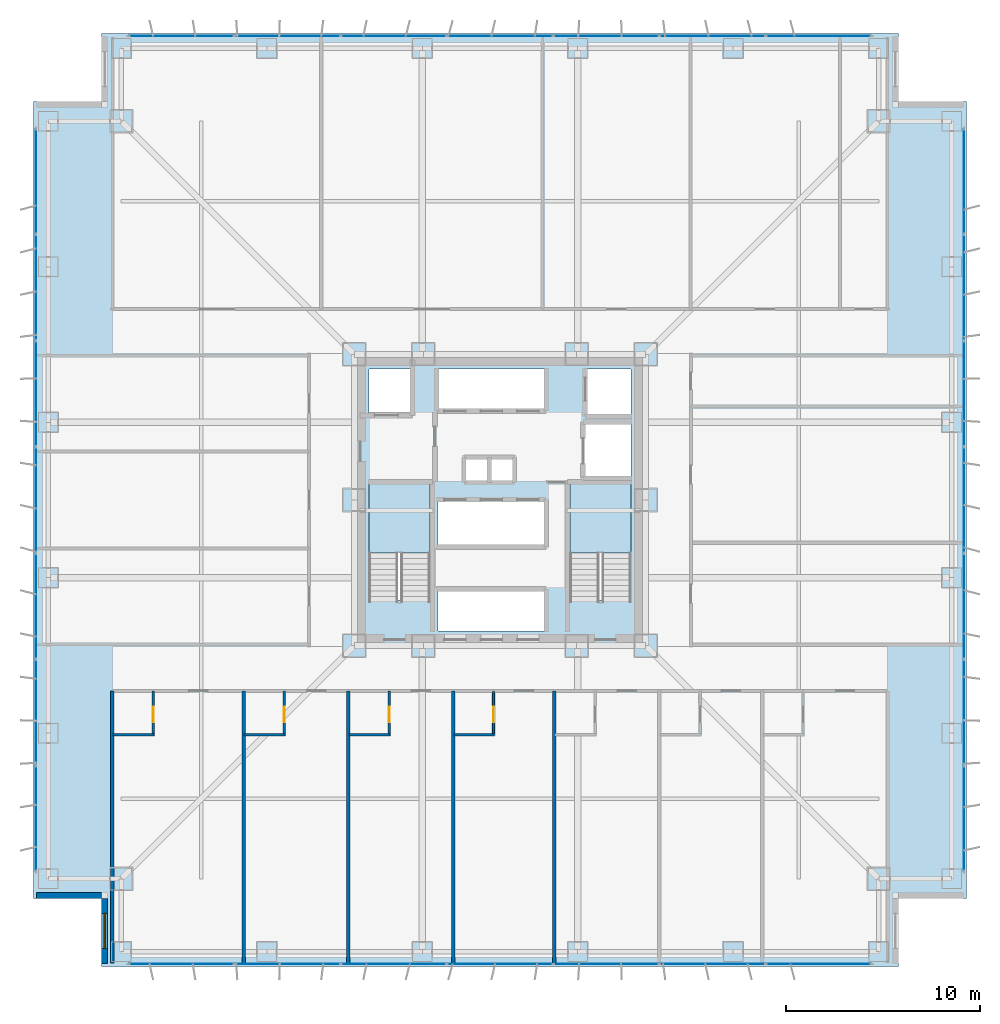
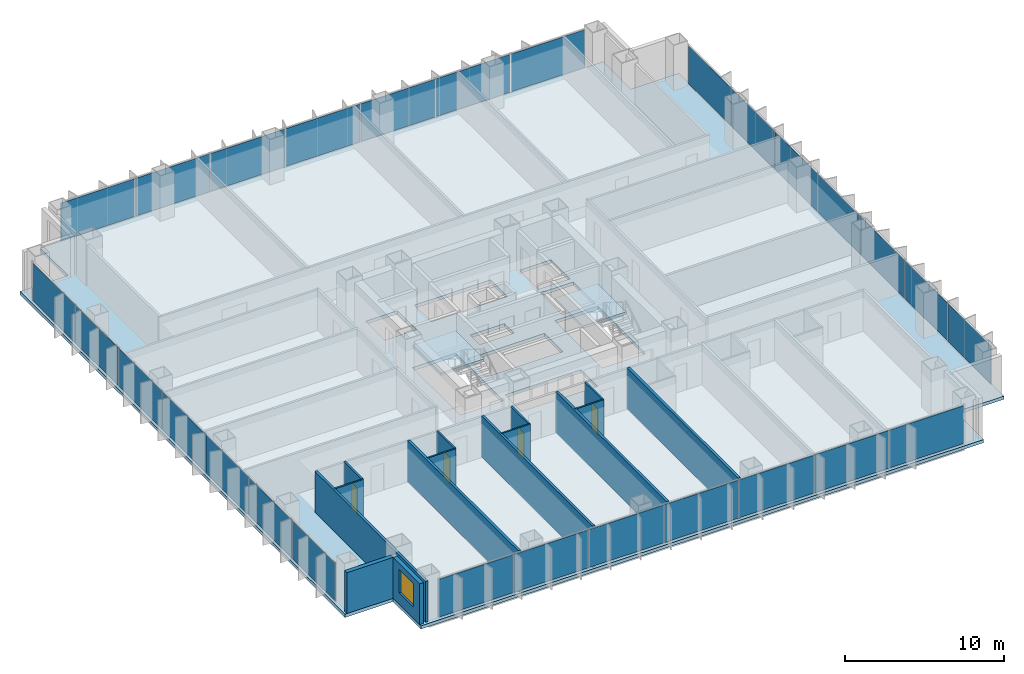
# One storey, part 13 of 19: 28 plates, 15 walls, 4 doors, 3 slabs, 1 window, 5 openings, 6 elements without a shape of their own.
"""IFC4 building model written with IfcOpenShell, lengths in metres."""

from ifc_helpers import new_model, si_unit, direction, frame, frame_2d, origin, origin_2d, place, context, subcontext, project, spatial, polyline, rectangle, outline, extrude, material, layer, layer_set, type_object, element, fill, aggregate, save


model = new_model("IFC4")

# Units and contexts
model_context = context("Model", 3, precision=1e-05, world=origin(), true_north=direction((0.0, 1.0)))
body_context = subcontext(model_context, "Body", "Model", "MODEL_VIEW")
ifc_project = project(units=[si_unit("LENGTHUNIT", "METRE"), si_unit("AREAUNIT", "SQUARE_METRE"), si_unit("VOLUMEUNIT", "CUBIC_METRE"), si_unit("PLANEANGLEUNIT", "RADIAN"), si_unit("MASSUNIT", "GRAM", prefix="KILO")], contexts=[model_context])

# Site, building, storey
site_placement = place(None, origin())
site = spatial("IfcSite", under=ifc_project, at=site_placement, CompositionType="ELEMENT")
building_placement = place(site_placement, origin())
building = spatial("IfcBuilding", under=site, at=building_placement, Name="Trevonay Congress Spire", CompositionType="ELEMENT")
storey_placement = place(building_placement, frame((0.0, 0.0, 79.5)))
storey = spatial("IfcBuildingStorey", under=building, at=storey_placement, Name="L20", CompositionType="ELEMENT", Elevation=79.5)

# Curtain wall, plates
ifc_material_1 = material(Name="Pale Anodised Aluminium EN AW-6063-T6", Category="aluminium")
ifc_layer_1 = layer(ifc_material_1, 0.179931640625, Name="Pale Anodised Aluminium EN AW-6063-T6")
ifc_layer_set_1 = layer_set([ifc_layer_1], Name="Pale Anodised Aluminium EN AW-6063-T6")
curtain_wall_type = type_object("IfcCurtainWallType", Name="CW-SYS02-HOTEL-PALE-METAL", PredefinedType="NOTDEFINED", material=ifc_layer_set_1)
curtain_wall_1_placement = place(storey_placement, origin())
curtain_wall_1 = element("IfcCurtainWall", 1, at=curtain_wall_1_placement, inside=storey, type_object=curtain_wall_type, Name="L20 S unitised curtain wall", PredefinedType="NOTDEFINED")
ifc_material_2 = material(Name="Insulated Low-E Vision Glass IGU", Category="glass")
ifc_layer_2 = layer(ifc_material_2, 0.035888671875, Name="Insulated Low-E Vision Glass IGU")
ifc_layer_set_2 = layer_set([ifc_layer_2], Name="Insulated Low-E Vision Glass IGU")
plate_type = type_object("IfcPlateType", Name="CW-PANEL-IGU36-SILVER", PredefinedType="CURTAIN_PANEL", material=ifc_layer_set_2)
plate_1_placement = place(storey_placement, frame((-16.399169921875, -23.8798828125, 0.1201171875), z_axis=(0.0, 0.0, 1.0), x_axis=(1.0, 0.0, 0.0)))
plate_1 = element("IfcPlate", 2, at=plate_1_placement, type_object=plate_type, Name="CW02 panel 1.1", PredefinedType="CURTAIN_PANEL", context=body_context, shape_type="SweptSolid", body=[
    extrude(rectangle(XDim=5.38134765625, YDim=0.035888671875, at=origin_2d()), origin(), (0.0, 0.0, 1.0), 2.909912109375),
])
plate_2_placement = place(storey_placement, frame((-10.94287109375, -23.8798828125, 0.1201171875), z_axis=(0.0, 0.0, 1.0), x_axis=(1.0, 0.0, 0.0)))
plate_2 = element("IfcPlate", 3, at=plate_2_placement, type_object=plate_type, Name="CW02 panel 2.1", PredefinedType="CURTAIN_PANEL", context=body_context, shape_type="SweptSolid", body=[
    extrude(rectangle(XDim=5.411376953125, YDim=0.035888671875, at=origin_2d()), origin(), (0.0, 0.0, 1.0), 2.909912109375),
])
plate_3_placement = place(storey_placement, frame((-5.471435546875, -23.8798828125, 0.1201171875), z_axis=(0.0, 0.0, 1.0), x_axis=(1.0, 0.0, 0.0)))
plate_3 = element("IfcPlate", 4, at=plate_3_placement, type_object=plate_type, Name="CW02 panel 3.1", PredefinedType="CURTAIN_PANEL", context=body_context, shape_type="SweptSolid", body=[
    extrude(rectangle(XDim=5.411376953125, YDim=0.035888671875, at=origin_2d()), origin(), (0.0, 0.0, 1.0), 2.909912109375),
])
plate_4_placement = place(storey_placement, frame((0.0, -23.8798828125, 0.1201171875), z_axis=(0.0, 0.0, 1.0), x_axis=(1.0, 0.0, 0.0)))
plate_4 = element("IfcPlate", 5, at=plate_4_placement, type_object=plate_type, Name="CW02 panel 4.1", PredefinedType="CURTAIN_PANEL", context=body_context, shape_type="SweptSolid", body=[
    extrude(rectangle(XDim=5.411376953125, YDim=0.035888671875, at=origin_2d()), origin(), (0.0, 0.0, 1.0), 2.909912109375),
])
plate_5_placement = place(storey_placement, frame((5.471435546875, -23.8798828125, 0.1201171875), z_axis=(0.0, 0.0, 1.0), x_axis=(1.0, 0.0, 0.0)))
plate_5 = element("IfcPlate", 6, at=plate_5_placement, type_object=plate_type, Name="CW02 panel 5.1", PredefinedType="CURTAIN_PANEL", context=body_context, shape_type="SweptSolid", body=[
    extrude(rectangle(XDim=5.411376953125, YDim=0.035888671875, at=origin_2d()), origin(), (0.0, 0.0, 1.0), 2.909912109375),
])
plate_6_placement = place(storey_placement, frame((10.94287109375, -23.8798828125, 0.1201171875), z_axis=(0.0, 0.0, 1.0), x_axis=(1.0, 0.0, 0.0)))
plate_6 = element("IfcPlate", 7, at=plate_6_placement, type_object=plate_type, Name="CW02 panel 6.1", PredefinedType="CURTAIN_PANEL", context=body_context, shape_type="SweptSolid", body=[
    extrude(rectangle(XDim=5.411376953125, YDim=0.035888671875, at=origin_2d()), origin(), (0.0, 0.0, 1.0), 2.909912109375),
])
plate_7_placement = place(storey_placement, frame((16.399169921875, -23.8798828125, 0.1201171875), z_axis=(0.0, 0.0, 1.0), x_axis=(1.0, 0.0, 0.0)))
plate_7 = element("IfcPlate", 8, at=plate_7_placement, type_object=plate_type, Name="CW02 panel 7.1", PredefinedType="CURTAIN_PANEL", context=body_context, shape_type="SweptSolid", body=[
    extrude(rectangle(XDim=5.38134765625, YDim=0.035888671875, at=origin_2d()), origin(), (0.0, 0.0, 1.0), 2.909912109375),
])
aggregate(curtain_wall_1, [plate_1, plate_2, plate_3, plate_4, plate_5, plate_6, plate_7])

curtain_wall_2_placement = place(storey_placement, origin())
curtain_wall_2 = element("IfcCurtainWall", 9, at=curtain_wall_2_placement, inside=storey, type_object=curtain_wall_type, Name="L20 N unitised curtain wall", PredefinedType="NOTDEFINED")
plate_8_placement = place(storey_placement, frame((-16.399169921875, 23.8798828125, 0.1201171875), z_axis=(0.0, 0.0, 1.0), x_axis=(1.0, 0.0, 0.0)))
plate_8 = element("IfcPlate", 10, at=plate_8_placement, type_object=plate_type, Name="CW02 panel 1.1", PredefinedType="CURTAIN_PANEL", context=body_context, shape_type="SweptSolid", body=[
    extrude(rectangle(XDim=5.38134765625, YDim=0.035888671875, at=origin_2d()), origin(), (0.0, 0.0, 1.0), 2.909912109375),
])
plate_9_placement = place(storey_placement, frame((-10.94287109375, 23.8798828125, 0.1201171875), z_axis=(0.0, 0.0, 1.0), x_axis=(1.0, 0.0, 0.0)))
plate_9 = element("IfcPlate", 11, at=plate_9_placement, type_object=plate_type, Name="CW02 panel 2.1", PredefinedType="CURTAIN_PANEL", context=body_context, shape_type="SweptSolid", body=[
    extrude(rectangle(XDim=5.411376953125, YDim=0.035888671875, at=origin_2d()), origin(), (0.0, 0.0, 1.0), 2.909912109375),
])
plate_10_placement = place(storey_placement, frame((-5.471435546875, 23.8798828125, 0.1201171875), z_axis=(0.0, 0.0, 1.0), x_axis=(1.0, 0.0, 0.0)))
plate_10 = element("IfcPlate", 12, at=plate_10_placement, type_object=plate_type, Name="CW02 panel 3.1", PredefinedType="CURTAIN_PANEL", context=body_context, shape_type="SweptSolid", body=[
    extrude(rectangle(XDim=5.411376953125, YDim=0.035888671875, at=origin_2d()), origin(), (0.0, 0.0, 1.0), 2.909912109375),
])
plate_11_placement = place(storey_placement, frame((0.0, 23.8798828125, 0.1201171875), z_axis=(0.0, 0.0, 1.0), x_axis=(1.0, 0.0, 0.0)))
plate_11 = element("IfcPlate", 13, at=plate_11_placement, type_object=plate_type, Name="CW02 panel 4.1", PredefinedType="CURTAIN_PANEL", context=body_context, shape_type="SweptSolid", body=[
    extrude(rectangle(XDim=5.411376953125, YDim=0.035888671875, at=origin_2d()), origin(), (0.0, 0.0, 1.0), 2.909912109375),
])
plate_12_placement = place(storey_placement, frame((5.471435546875, 23.8798828125, 0.1201171875), z_axis=(0.0, 0.0, 1.0), x_axis=(1.0, 0.0, 0.0)))
plate_12 = element("IfcPlate", 14, at=plate_12_placement, type_object=plate_type, Name="CW02 panel 5.1", PredefinedType="CURTAIN_PANEL", context=body_context, shape_type="SweptSolid", body=[
    extrude(rectangle(XDim=5.411376953125, YDim=0.035888671875, at=origin_2d()), origin(), (0.0, 0.0, 1.0), 2.909912109375),
])
plate_13_placement = place(storey_placement, frame((10.94287109375, 23.8798828125, 0.1201171875), z_axis=(0.0, 0.0, 1.0), x_axis=(1.0, 0.0, 0.0)))
plate_13 = element("IfcPlate", 15, at=plate_13_placement, type_object=plate_type, Name="CW02 panel 6.1", PredefinedType="CURTAIN_PANEL", context=body_context, shape_type="SweptSolid", body=[
    extrude(rectangle(XDim=5.411376953125, YDim=0.035888671875, at=origin_2d()), origin(), (0.0, 0.0, 1.0), 2.909912109375),
])
plate_14_placement = place(storey_placement, frame((16.399169921875, 23.8798828125, 0.1201171875), z_axis=(0.0, 0.0, 1.0), x_axis=(1.0, 0.0, 0.0)))
plate_14 = element("IfcPlate", 16, at=plate_14_placement, type_object=plate_type, Name="CW02 panel 7.1", PredefinedType="CURTAIN_PANEL", context=body_context, shape_type="SweptSolid", body=[
    extrude(rectangle(XDim=5.38134765625, YDim=0.035888671875, at=origin_2d()), origin(), (0.0, 0.0, 1.0), 2.909912109375),
])
aggregate(curtain_wall_2, [plate_8, plate_9, plate_10, plate_11, plate_12, plate_13, plate_14])

curtain_wall_3_placement = place(storey_placement, origin())
curtain_wall_3 = element("IfcCurtainWall", 17, at=curtain_wall_3_placement, inside=storey, type_object=curtain_wall_type, Name="L20 W unitised curtain wall", PredefinedType="NOTDEFINED")
plate_15_placement = place(storey_placement, frame((-23.8798828125, -16.399169921875, 0.1201171875), z_axis=(0.0, 0.0, 1.0), x_axis=(0.0, 1.0, 0.0)))
plate_15 = element("IfcPlate", 18, at=plate_15_placement, type_object=plate_type, Name="CW02 panel 1.1", PredefinedType="CURTAIN_PANEL", context=body_context, shape_type="SweptSolid", body=[
    extrude(rectangle(XDim=5.38134765625, YDim=0.035888671875, at=origin_2d()), origin(), (0.0, 0.0, 1.0), 2.909912109375),
])
plate_16_placement = place(storey_placement, frame((-23.8798828125, -10.94287109375, 0.1201171875), z_axis=(0.0, 0.0, 1.0), x_axis=(0.0, 1.0, 0.0)))
plate_16 = element("IfcPlate", 19, at=plate_16_placement, type_object=plate_type, Name="CW02 panel 2.1", PredefinedType="CURTAIN_PANEL", context=body_context, shape_type="SweptSolid", body=[
    extrude(rectangle(XDim=5.411376953125, YDim=0.035888671875, at=origin_2d()), origin(), (0.0, 0.0, 1.0), 2.909912109375),
])
plate_17_placement = place(storey_placement, frame((-23.8798828125, -5.471435546875, 0.1201171875), z_axis=(0.0, 0.0, 1.0), x_axis=(0.0, 1.0, 0.0)))
plate_17 = element("IfcPlate", 20, at=plate_17_placement, type_object=plate_type, Name="CW02 panel 3.1", PredefinedType="CURTAIN_PANEL", context=body_context, shape_type="SweptSolid", body=[
    extrude(rectangle(XDim=5.411376953125, YDim=0.035888671875, at=origin_2d()), origin(), (0.0, 0.0, 1.0), 2.909912109375),
])
plate_18_placement = place(storey_placement, frame((-23.8798828125, 0.0, 0.1201171875), z_axis=(0.0, 0.0, 1.0), x_axis=(0.0, 1.0, 0.0)))
plate_18 = element("IfcPlate", 21, at=plate_18_placement, type_object=plate_type, Name="CW02 panel 4.1", PredefinedType="CURTAIN_PANEL", context=body_context, shape_type="SweptSolid", body=[
    extrude(rectangle(XDim=5.411376953125, YDim=0.035888671875, at=origin_2d()), origin(), (0.0, 0.0, 1.0), 2.909912109375),
])
plate_19_placement = place(storey_placement, frame((-23.8798828125, 5.471435546875, 0.1201171875), z_axis=(0.0, 0.0, 1.0), x_axis=(0.0, 1.0, 0.0)))
plate_19 = element("IfcPlate", 22, at=plate_19_placement, type_object=plate_type, Name="CW02 panel 5.1", PredefinedType="CURTAIN_PANEL", context=body_context, shape_type="SweptSolid", body=[
    extrude(rectangle(XDim=5.411376953125, YDim=0.035888671875, at=origin_2d()), origin(), (0.0, 0.0, 1.0), 2.909912109375),
])
plate_20_placement = place(storey_placement, frame((-23.8798828125, 10.94287109375, 0.1201171875), z_axis=(0.0, 0.0, 1.0), x_axis=(0.0, 1.0, 0.0)))
plate_20 = element("IfcPlate", 23, at=plate_20_placement, type_object=plate_type, Name="CW02 panel 6.1", PredefinedType="CURTAIN_PANEL", context=body_context, shape_type="SweptSolid", body=[
    extrude(rectangle(XDim=5.411376953125, YDim=0.035888671875, at=origin_2d()), origin(), (0.0, 0.0, 1.0), 2.909912109375),
])
plate_21_placement = place(storey_placement, frame((-23.8798828125, 16.399169921875, 0.1201171875), z_axis=(0.0, 0.0, 1.0), x_axis=(0.0, 1.0, 0.0)))
plate_21 = element("IfcPlate", 24, at=plate_21_placement, type_object=plate_type, Name="CW02 panel 7.1", PredefinedType="CURTAIN_PANEL", context=body_context, shape_type="SweptSolid", body=[
    extrude(rectangle(XDim=5.38134765625, YDim=0.035888671875, at=origin_2d()), origin(), (0.0, 0.0, 1.0), 2.909912109375),
])
aggregate(curtain_wall_3, [plate_15, plate_16, plate_17, plate_18, plate_19, plate_20, plate_21])

curtain_wall_4_placement = place(storey_placement, origin())
curtain_wall_4 = element("IfcCurtainWall", 25, at=curtain_wall_4_placement, inside=storey, type_object=curtain_wall_type, Name="L20 E unitised curtain wall", PredefinedType="NOTDEFINED")
plate_22_placement = place(storey_placement, frame((23.8798828125, -16.399169921875, 0.1201171875), z_axis=(0.0, 0.0, 1.0), x_axis=(0.0, 1.0, 0.0)))
plate_22 = element("IfcPlate", 26, at=plate_22_placement, type_object=plate_type, Name="CW02 panel 1.1", PredefinedType="CURTAIN_PANEL", context=body_context, shape_type="SweptSolid", body=[
    extrude(rectangle(XDim=5.38134765625, YDim=0.035888671875, at=origin_2d()), origin(), (0.0, 0.0, 1.0), 2.909912109375),
])
plate_23_placement = place(storey_placement, frame((23.8798828125, -10.94287109375, 0.1201171875), z_axis=(0.0, 0.0, 1.0), x_axis=(0.0, 1.0, 0.0)))
plate_23 = element("IfcPlate", 27, at=plate_23_placement, type_object=plate_type, Name="CW02 panel 2.1", PredefinedType="CURTAIN_PANEL", context=body_context, shape_type="SweptSolid", body=[
    extrude(rectangle(XDim=5.411376953125, YDim=0.035888671875, at=origin_2d()), origin(), (0.0, 0.0, 1.0), 2.909912109375),
])
plate_24_placement = place(storey_placement, frame((23.8798828125, -5.471435546875, 0.1201171875), z_axis=(0.0, 0.0, 1.0), x_axis=(0.0, 1.0, 0.0)))
plate_24 = element("IfcPlate", 28, at=plate_24_placement, type_object=plate_type, Name="CW02 panel 3.1", PredefinedType="CURTAIN_PANEL", context=body_context, shape_type="SweptSolid", body=[
    extrude(rectangle(XDim=5.411376953125, YDim=0.035888671875, at=origin_2d()), origin(), (0.0, 0.0, 1.0), 2.909912109375),
])
plate_25_placement = place(storey_placement, frame((23.8798828125, 0.0, 0.1201171875), z_axis=(0.0, 0.0, 1.0), x_axis=(0.0, 1.0, 0.0)))
plate_25 = element("IfcPlate", 29, at=plate_25_placement, type_object=plate_type, Name="CW02 panel 4.1", PredefinedType="CURTAIN_PANEL", context=body_context, shape_type="SweptSolid", body=[
    extrude(rectangle(XDim=5.411376953125, YDim=0.035888671875, at=origin_2d()), origin(), (0.0, 0.0, 1.0), 2.909912109375),
])
plate_26_placement = place(storey_placement, frame((23.8798828125, 5.471435546875, 0.1201171875), z_axis=(0.0, 0.0, 1.0), x_axis=(0.0, 1.0, 0.0)))
plate_26 = element("IfcPlate", 30, at=plate_26_placement, type_object=plate_type, Name="CW02 panel 5.1", PredefinedType="CURTAIN_PANEL", context=body_context, shape_type="SweptSolid", body=[
    extrude(rectangle(XDim=5.411376953125, YDim=0.035888671875, at=origin_2d()), origin(), (0.0, 0.0, 1.0), 2.909912109375),
])
plate_27_placement = place(storey_placement, frame((23.8798828125, 10.94287109375, 0.1201171875), z_axis=(0.0, 0.0, 1.0), x_axis=(0.0, 1.0, 0.0)))
plate_27 = element("IfcPlate", 31, at=plate_27_placement, type_object=plate_type, Name="CW02 panel 6.1", PredefinedType="CURTAIN_PANEL", context=body_context, shape_type="SweptSolid", body=[
    extrude(rectangle(XDim=5.411376953125, YDim=0.035888671875, at=origin_2d()), origin(), (0.0, 0.0, 1.0), 2.909912109375),
])
plate_28_placement = place(storey_placement, frame((23.8798828125, 16.399169921875, 0.1201171875), z_axis=(0.0, 0.0, 1.0), x_axis=(0.0, 1.0, 0.0)))
plate_28 = element("IfcPlate", 32, at=plate_28_placement, type_object=plate_type, Name="CW02 panel 7.1", PredefinedType="CURTAIN_PANEL", context=body_context, shape_type="SweptSolid", body=[
    extrude(rectangle(XDim=5.38134765625, YDim=0.035888671875, at=origin_2d()), origin(), (0.0, 0.0, 1.0), 2.909912109375),
])
aggregate(curtain_wall_4, [plate_22, plate_23, plate_24, plate_25, plate_26, plate_27, plate_28])

# Stair, slab
ifc_material_3 = material(Name="Concrete C40/50", Category="concrete")
stair_type_1 = type_object("IfcStairType", Name="STR-ST-1", PredefinedType="HALF_TURN_STAIR", material=ifc_material_3)
stair_1_placement = place(storey_placement, origin())
stair_1 = element("IfcStair", 33, at=stair_1_placement, inside=storey, type_object=stair_type_1, Name="L20 Protected Exit Stair ST-1", PredefinedType="HALF_TURN_STAIR")
ifc_layer_3 = layer(ifc_material_3, 0.199951171875, Name="Concrete C40/50")
ifc_layer_set_3 = layer_set([ifc_layer_3], Name="Concrete C40/50")
slab_type_1 = type_object("IfcSlabType", Name="SLB-STAIR-LAND-200", PredefinedType="LANDING", material=ifc_layer_set_3)
slab_1_placement = place(storey_placement, frame((0.0, 0.0, 1.550048828125)))
slab_1 = element("IfcSlab", 34, at=slab_1_placement, type_object=slab_type_1, Name="ST-1 landing 1", PredefinedType="LANDING", context=body_context, shape_type="SweptSolid", body=[
    extrude(outline(polyline([(-3.60009765625, -2.72998046875), (-3.60009765625, 0.85009765625), (-6.75, 0.85009765625), (-6.75, -2.72998046875), (-3.60009765625, -2.72998046875)])), origin(), (0.0, 0.0, 1.0), 0.199951171875),
])
aggregate(stair_1, [slab_1])

stair_type_2 = type_object("IfcStairType", Name="STR-ST-2", PredefinedType="HALF_TURN_STAIR", material=ifc_material_3)
stair_2_placement = place(storey_placement, origin())
stair_2 = element("IfcStair", 35, at=stair_2_placement, inside=storey, type_object=stair_type_2, Name="L20 Protected Exit Stair ST-2", PredefinedType="HALF_TURN_STAIR")
slab_2_placement = place(storey_placement, frame((0.0, 0.0, 1.550048828125)))
slab_2 = element("IfcSlab", 36, at=slab_2_placement, type_object=slab_type_1, Name="ST-2 landing 1", PredefinedType="LANDING", context=body_context, shape_type="SweptSolid", body=[
    extrude(outline(polyline([(6.75, -2.72998046875), (6.75, 0.85009765625), (3.60009765625, 0.85009765625), (3.60009765625, -2.72998046875), (6.75, -2.72998046875)])), origin(), (0.0, 0.0, 1.0), 0.199951171875),
])
aggregate(stair_2, [slab_2])

# Slab
ifc_layer_4 = layer(ifc_material_3, 0.25, Name="Concrete C40/50")
ifc_layer_set_4 = layer_set([ifc_layer_4], Name="Concrete C40/50")
slab_type_2 = type_object("IfcSlabType", Name="SLB-TOW1-250", PredefinedType="FLOOR", material=ifc_layer_set_4)
slab_3_placement = place(storey_placement, frame((0.0, 0.0, -0.25)))
element("IfcSlab", 37, at=slab_3_placement, inside=storey, type_object=slab_type_2, Name="L20 structural floor slab", PredefinedType="FLOOR", context=body_context, shape_type="SweptSolid", body=[
    extrude(outline(polyline([(-20.5, -24.0), (20.5, -24.0), (20.5, -20.5), (24.0, -20.5), (24.0, 20.5), (20.5, 20.5), (20.5, 24.0), (-20.5, 24.0), (-20.5, 20.5), (-24.0, 20.5), (-24.0, -20.5), (-20.5, -20.5), (-20.5, -24.0)]), holes=[polyline([(-3.60009765625, -5.14990234375), (-3.60009765625, 0.85009765625), (-6.75, 0.85009765625), (-6.75, -5.14990234375), (-3.60009765625, -5.14990234375)]), polyline([(6.75, -5.14990234375), (6.75, 0.85009765625), (3.60009765625, 0.85009765625), (3.60009765625, -5.14990234375), (6.75, -5.14990234375)]), polyline([(-3.199951171875, -6.75), (2.340087890625, -6.75), (2.340087890625, -4.64990234375), (-3.199951171875, -4.64990234375), (-3.199951171875, -6.75)]), polyline([(-3.199951171875, -2.35009765625), (2.340087890625, -2.35009765625), (2.340087890625, -0.050048828125), (-3.199951171875, -0.050048828125), (-3.199951171875, -2.35009765625)]), polyline([(-3.199951171875, 4.64990234375), (2.340087890625, 4.64990234375), (2.340087890625, 6.75), (-3.199951171875, 6.75), (-3.199951171875, 4.64990234375)]), polyline([(-6.75, 4.35009765625), (-4.449951171875, 4.35009765625), (-4.449951171875, 6.75), (-6.75, 6.75), (-6.75, 4.35009765625)]), polyline([(4.449951171875, 4.35009765625), (6.75, 4.35009765625), (6.75, 6.75), (4.449951171875, 6.75), (4.449951171875, 4.35009765625)]), polyline([(4.35009765625, 1.199951171875), (6.75, 1.199951171875), (6.75, 3.949951171875), (4.35009765625, 3.949951171875), (4.35009765625, 1.199951171875)]), polyline([(-1.800048828125, 0.949951171875), (0.699951171875, 0.949951171875), (0.699951171875, 2.14990234375), (-1.800048828125, 2.14990234375), (-1.800048828125, 0.949951171875)])]), origin(), (0.0, 0.0, 1.0), 0.25),
])

# Wall, opening, door
ifc_layer_5 = layer(ifc_material_3, 0.1201171875, Name="Concrete C40/50")
ifc_layer_set_5 = layer_set([ifc_layer_5], Name="Concrete C40/50")
wall_type_1 = type_object("IfcWallType", Name="WAL-BATH-120", PredefinedType="PLUMBINGWALL", material=ifc_layer_set_5)
wall_1_placement = place(storey_placement, frame((-17.85009765625, -12.080078125, 0.0), z_axis=(0.0, 0.0, 1.0), x_axis=(0.0, 1.0, 0.0)))
wall_1 = element("IfcWall", 38, at=wall_1_placement, inside=storey, type_object=wall_type_1, Name="L20 interior wall WH-L20S-BS1", PredefinedType="PLUMBINGWALL", context=body_context, shape_type="SweptSolid", body=[
    extrude(rectangle(XDim=2.25, YDim=0.1201171875, at=frame_2d((1.125, 0.0))), origin(), (0.0, 0.0, 1.0), 3.14990234375),
])
opening_1_placement = place(wall_1_placement, frame((0.64990234375, 0.0, 0.0)))
opening_1 = element("IfcOpeningElement", 39, at=opening_1_placement, cuts=wall_1, Name="Opening D11", PredefinedType="OPENING", context=body_context, shape_type="SweptSolid", body=[
    extrude(rectangle(XDim=0.800048828125, YDim=2.050048828125, at=frame_2d((0.39990234375, 1.02490234375))), frame((0.0, 0.070068359375, 0.0), z_axis=(0.0, -1.0, 0.0), x_axis=(1.0, 0.0, 0.0)), (0.0, 0.0, 1.0), 0.14013671875),
])
door_type = type_object("IfcDoorType", Name="DOR-BATH-80", OperationType="NOTDEFINED", PredefinedType="DOOR", material=ifc_material_1)
door_1_placement = place(opening_1_placement, origin())
door_1 = element("IfcDoor", 40, at=door_1_placement, inside=storey, type_object=door_type, Name="L20 En-suite Bathroom Door", OperationType="SINGLE_SWING_LEFT", OverallHeight=2.050048828125, OverallWidth=0.800048828125, PredefinedType="DOOR", context=body_context, shape_type="SweptSolid", body=[
    extrude(rectangle(XDim=0.800048828125, YDim=2.050048828125, at=frame_2d((0.39990234375, 1.02490234375))), frame((0.0, 0.02490234375, 0.0), z_axis=(0.0, -1.0, 0.0), x_axis=(1.0, 0.0, 0.0)), (0.0, 0.0, 1.0), 0.050048828125),
])
fill(opening_1, door_1)

# Wall
wall_2_placement = place(storey_placement, frame((-19.919921875, -12.080078125, 0.0), z_axis=(0.0, 0.0, 1.0), x_axis=(1.0, 0.0, 0.0)))
element("IfcWall", 41, at=wall_2_placement, inside=storey, type_object=wall_type_1, Name="L20 interior wall WH-L20S-BF1", PredefinedType="PLUMBINGWALL", context=body_context, shape_type="SweptSolid", body=[
    extrude(rectangle(XDim=2.099853515625, YDim=0.1201171875, at=frame_2d((1.0498046875, 0.0))), origin(), (0.0, 0.0, 1.0), 3.14990234375),
])

# Wall, opening, door
wall_3_placement = place(storey_placement, frame((-11.10009765625, -12.080078125, 0.0), z_axis=(0.0, 0.0, 1.0), x_axis=(0.0, 1.0, 0.0)))
wall_3 = element("IfcWall", 42, at=wall_3_placement, inside=storey, type_object=wall_type_1, Name="L20 interior wall WH-L20S-BS2", PredefinedType="PLUMBINGWALL", context=body_context, shape_type="SweptSolid", body=[
    extrude(rectangle(XDim=2.25, YDim=0.1201171875, at=frame_2d((1.125, 0.0))), origin(), (0.0, 0.0, 1.0), 3.14990234375),
])
opening_2_placement = place(wall_3_placement, frame((0.64990234375, 0.0, 0.0)))
opening_2 = element("IfcOpeningElement", 43, at=opening_2_placement, cuts=wall_3, Name="Opening D11", PredefinedType="OPENING", context=body_context, shape_type="SweptSolid", body=[
    extrude(rectangle(XDim=0.800048828125, YDim=2.050048828125, at=frame_2d((0.39990234375, 1.02490234375))), frame((0.0, 0.070068359375, 0.0), z_axis=(0.0, -1.0, 0.0), x_axis=(1.0, 0.0, 0.0)), (0.0, 0.0, 1.0), 0.14013671875),
])
door_2_placement = place(opening_2_placement, origin())
door_2 = element("IfcDoor", 44, at=door_2_placement, inside=storey, type_object=door_type, Name="L20 En-suite Bathroom Door", OperationType="SINGLE_SWING_RIGHT", OverallHeight=2.050048828125, OverallWidth=0.800048828125, PredefinedType="DOOR", context=body_context, shape_type="SweptSolid", body=[
    extrude(rectangle(XDim=0.800048828125, YDim=2.050048828125, at=frame_2d((0.39990234375, 1.02490234375))), frame((0.0, 0.02490234375, 0.0), z_axis=(0.0, -1.0, 0.0), x_axis=(1.0, 0.0, 0.0)), (0.0, 0.0, 1.0), 0.050048828125),
])
fill(opening_2, door_2)

# Wall
wall_4_placement = place(storey_placement, frame((-13.169921875, -12.080078125, 0.0), z_axis=(0.0, 0.0, 1.0), x_axis=(1.0, 0.0, 0.0)))
element("IfcWall", 45, at=wall_4_placement, inside=storey, type_object=wall_type_1, Name="L20 interior wall WH-L20S-BF2", PredefinedType="PLUMBINGWALL", context=body_context, shape_type="SweptSolid", body=[
    extrude(rectangle(XDim=2.099853515625, YDim=0.1201171875, at=frame_2d((1.0498046875, 0.0))), origin(), (0.0, 0.0, 1.0), 3.14990234375),
])

# Wall, opening, door
wall_5_placement = place(storey_placement, frame((-5.699951171875, -12.080078125, 0.0), z_axis=(0.0, 0.0, 1.0), x_axis=(0.0, 1.0, 0.0)))
wall_5 = element("IfcWall", 46, at=wall_5_placement, inside=storey, type_object=wall_type_1, Name="L20 interior wall WH-L20S-BS3", PredefinedType="PLUMBINGWALL", context=body_context, shape_type="SweptSolid", body=[
    extrude(rectangle(XDim=2.25, YDim=0.1201171875, at=frame_2d((1.125, 0.0))), origin(), (0.0, 0.0, 1.0), 3.14990234375),
])
opening_3_placement = place(wall_5_placement, frame((0.64990234375, 0.0, 0.0)))
opening_3 = element("IfcOpeningElement", 47, at=opening_3_placement, cuts=wall_5, Name="Opening D11", PredefinedType="OPENING", context=body_context, shape_type="SweptSolid", body=[
    extrude(rectangle(XDim=0.800048828125, YDim=2.050048828125, at=frame_2d((0.39990234375, 1.02490234375))), frame((0.0, 0.070068359375, 0.0), z_axis=(0.0, -1.0, 0.0), x_axis=(1.0, 0.0, 0.0)), (0.0, 0.0, 1.0), 0.14013671875),
])
door_3_placement = place(opening_3_placement, origin())
door_3 = element("IfcDoor", 48, at=door_3_placement, inside=storey, type_object=door_type, Name="L20 En-suite Bathroom Door", OperationType="SINGLE_SWING_LEFT", OverallHeight=2.050048828125, OverallWidth=0.800048828125, PredefinedType="DOOR", context=body_context, shape_type="SweptSolid", body=[
    extrude(rectangle(XDim=0.800048828125, YDim=2.050048828125, at=frame_2d((0.39990234375, 1.02490234375))), frame((0.0, 0.02490234375, 0.0), z_axis=(0.0, -1.0, 0.0), x_axis=(1.0, 0.0, 0.0)), (0.0, 0.0, 1.0), 0.050048828125),
])
fill(opening_3, door_3)

# Wall
wall_6_placement = place(storey_placement, frame((-7.77001953125, -12.080078125, 0.0), z_axis=(0.0, 0.0, 1.0), x_axis=(1.0, 0.0, 0.0)))
element("IfcWall", 49, at=wall_6_placement, inside=storey, type_object=wall_type_1, Name="L20 interior wall WH-L20S-BF3", PredefinedType="PLUMBINGWALL", context=body_context, shape_type="SweptSolid", body=[
    extrude(rectangle(XDim=2.10009765625, YDim=0.1201171875, at=frame_2d((1.050048828125, 0.0))), origin(), (0.0, 0.0, 1.0), 3.14990234375),
])

# Wall, opening, door
wall_7_placement = place(storey_placement, frame((-0.3349609375, -12.080078125, 0.0), z_axis=(0.0, 0.0, 1.0), x_axis=(0.0, 1.0, 0.0)))
wall_7 = element("IfcWall", 50, at=wall_7_placement, inside=storey, type_object=wall_type_1, Name="L20 interior wall WH-L20S-BS4", PredefinedType="PLUMBINGWALL", context=body_context, shape_type="SweptSolid", body=[
    extrude(rectangle(XDim=2.25, YDim=0.1201171875, at=frame_2d((1.125, 0.0))), origin(), (0.0, 0.0, 1.0), 3.14990234375),
])
opening_4_placement = place(wall_7_placement, frame((0.64990234375, 0.0, 0.0)))
opening_4 = element("IfcOpeningElement", 51, at=opening_4_placement, cuts=wall_7, Name="Opening D11", PredefinedType="OPENING", context=body_context, shape_type="SweptSolid", body=[
    extrude(rectangle(XDim=0.800048828125, YDim=2.050048828125, at=frame_2d((0.39990234375, 1.02490234375))), frame((0.0, 0.070068359375, 0.0), z_axis=(0.0, -1.0, 0.0), x_axis=(1.0, 0.0, 0.0)), (0.0, 0.0, 1.0), 0.14013671875),
])
door_4_placement = place(opening_4_placement, origin())
door_4 = element("IfcDoor", 52, at=door_4_placement, inside=storey, type_object=door_type, Name="L20 En-suite Bathroom Door", OperationType="SINGLE_SWING_RIGHT", OverallHeight=2.050048828125, OverallWidth=0.800048828125, PredefinedType="DOOR", context=body_context, shape_type="SweptSolid", body=[
    extrude(rectangle(XDim=0.800048828125, YDim=2.050048828125, at=frame_2d((0.39990234375, 1.02490234375))), frame((0.0, 0.02490234375, 0.0), z_axis=(0.0, -1.0, 0.0), x_axis=(1.0, 0.0, 0.0)), (0.0, 0.0, 1.0), 0.050048828125),
])
fill(opening_4, door_4)

# Wall
wall_8_placement = place(storey_placement, frame((-2.3701171875, -12.080078125, 0.0), z_axis=(0.0, 0.0, 1.0), x_axis=(1.0, 0.0, 0.0)))
element("IfcWall", 53, at=wall_8_placement, inside=storey, type_object=wall_type_1, Name="L20 interior wall WH-L20S-BF4", PredefinedType="PLUMBINGWALL", context=body_context, shape_type="SweptSolid", body=[
    extrude(rectangle(XDim=2.065185546875, YDim=0.1201171875, at=frame_2d((1.03271484375, 0.0))), origin(), (0.0, 0.0, 1.0), 3.14990234375),
])

# Wall, opening, window
ifc_material_4 = material(Name="Precast concrete C40/50", Category="concrete")
ifc_layer_6 = layer(ifc_material_4, 0.300048828125, Name="Precast concrete C40/50")
ifc_layer_set_6 = layer_set([ifc_layer_6], Name="Precast concrete C40/50")
wall_type_2 = type_object("IfcWallType", Name="WAL-EXT-PRECAST-300", PredefinedType="SOLIDWALL", material=ifc_layer_set_6)
wall_9_placement = place(storey_placement, frame((-20.35009765625, -23.85009765625, 0.0), z_axis=(0.0, 0.0, 1.0), x_axis=(0.0, 1.0, 0.0)))
wall_9 = element("IfcWall", 54, at=wall_9_placement, inside=storey, type_object=wall_type_2, Name="L20 SW re-entrant notch exterior wall 1", PredefinedType="SOLIDWALL", context=body_context, shape_type="SweptSolid", body=[
    extrude(rectangle(XDim=3.35009765625, YDim=0.300048828125, at=frame_2d((1.675048828125, 0.0))), origin(), (0.0, 0.0, 1.0), 3.14990234375),
])
opening_5_placement = place(wall_9_placement, frame((0.77490234375, 0.0, 0.89990234375)))
opening_5 = element("IfcOpeningElement", 55, at=opening_5_placement, cuts=wall_9, Name="Opening WN01", PredefinedType="OPENING", context=body_context, shape_type="SweptSolid", body=[
    extrude(rectangle(XDim=1.800048828125, YDim=1.800048828125, at=frame_2d((0.89990234375, 0.89990234375))), frame((0.0, 0.16015625, 0.0), z_axis=(0.0, -1.0, 0.0), x_axis=(1.0, 0.0, 0.0)), (0.0, 0.0, 1.0), 0.320068359375),
])
window_type = type_object("IfcWindowType", Name="WIN-HOTEL-180X180", PartitioningType="SINGLE_PANEL", PredefinedType="WINDOW", material=ifc_material_2)
window_placement = place(opening_5_placement, origin())
window = element("IfcWindow", 56, at=window_placement, inside=storey, type_object=window_type, Name="L20 SW corner notch window", OverallHeight=1.800048828125, OverallWidth=1.800048828125, PartitioningType="SINGLE_PANEL", PredefinedType="WINDOW", context=body_context, shape_type="SweptSolid", body=[
    extrude(rectangle(XDim=1.800048828125, YDim=1.800048828125, at=frame_2d((0.89990234375, 0.89990234375))), frame((0.0, 0.030029296875, 0.0), z_axis=(0.0, -1.0, 0.0), x_axis=(1.0, 0.0, 0.0)), (0.0, 0.0, 1.0), 0.06005859375),
])
fill(opening_5, window)

# Walls
wall_10_placement = place(storey_placement, frame((-23.85009765625, -20.35009765625, 0.0), z_axis=(0.0, 0.0, 1.0), x_axis=(1.0, 0.0, 0.0)))
element("IfcWall", 57, at=wall_10_placement, inside=storey, type_object=wall_type_2, Name="L20 SW re-entrant notch exterior wall 2", PredefinedType="SOLIDWALL", context=body_context, shape_type="SweptSolid", body=[
    extrude(rectangle(XDim=3.35009765625, YDim=0.300048828125, at=frame_2d((1.675048828125, 0.0))), origin(), (0.0, 0.0, 1.0), 3.14990234375),
])
ifc_layer_7 = layer(ifc_material_3, 0.179931640625, Name="Concrete C40/50")
ifc_layer_set_7 = layer_set([ifc_layer_7], Name="Concrete C40/50")
wall_type_3 = type_object("IfcWallType", Name="WAL-HOTEL-180", PredefinedType="PARTITIONING", material=ifc_layer_set_7)
for number, where, z_axis, x_axis, name in (
    (58, (-19.949951171875, -23.820068359375, 0.0), (0.0, 0.0, 1.0), (0.0, 1.0, 0.0), "L20 interior wall WH-L20S-DIV1"),
    (59, (-13.199951171875, -23.820068359375, 0.0), (0.0, 0.0, 1.0), (0.0, 1.0, 0.0), "L20 interior wall WH-L20S-DIV2"),
    (60, (-7.800048828125, -23.820068359375, 0.0), (0.0, 0.0, 1.0), (0.0, 1.0, 0.0), "L20 interior wall WH-L20S-DIV3"),
    (61, (-2.39990234375, -23.820068359375, 0.0), (0.0, 0.0, 1.0), (0.0, 1.0, 0.0), "L20 interior wall WH-L20S-DIV4"),
    (62, (2.800048828125, -23.820068359375, 0.0), (0.0, 0.0, 1.0), (0.0, 1.0, 0.0), "L20 interior wall WH-L20S-DIV5"),
):
    element("IfcWall", number, at=place(storey_placement, frame(where, z_axis=z_axis, x_axis=x_axis)), inside=storey, type_object=wall_type_3, Name=name, PredefinedType="PARTITIONING", context=body_context, shape_type="SweptSolid", body=[
        extrude(rectangle(XDim=13.989990234375, YDim=0.179931640625, at=frame_2d((6.9951171875, 0.0))), origin(), (0.0, 0.0, 1.0), 3.14990234375),
    ])

save(model, "model.ifc")
